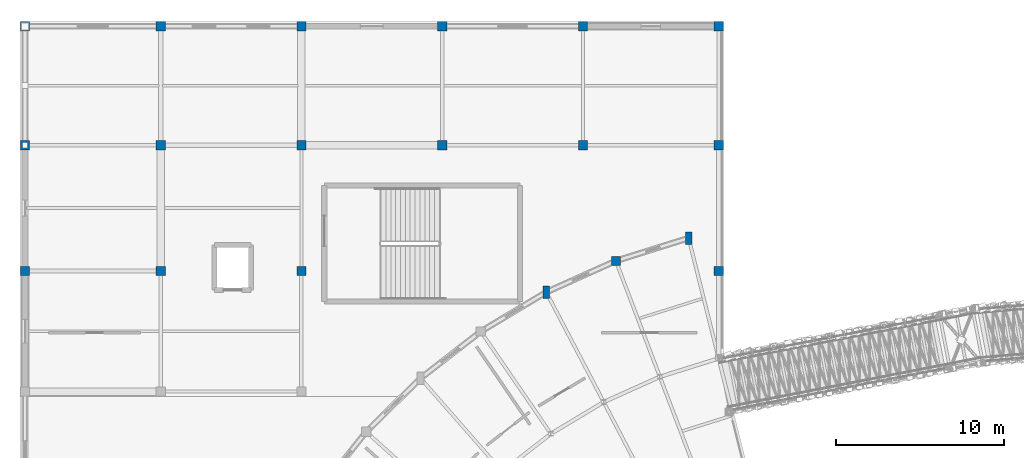
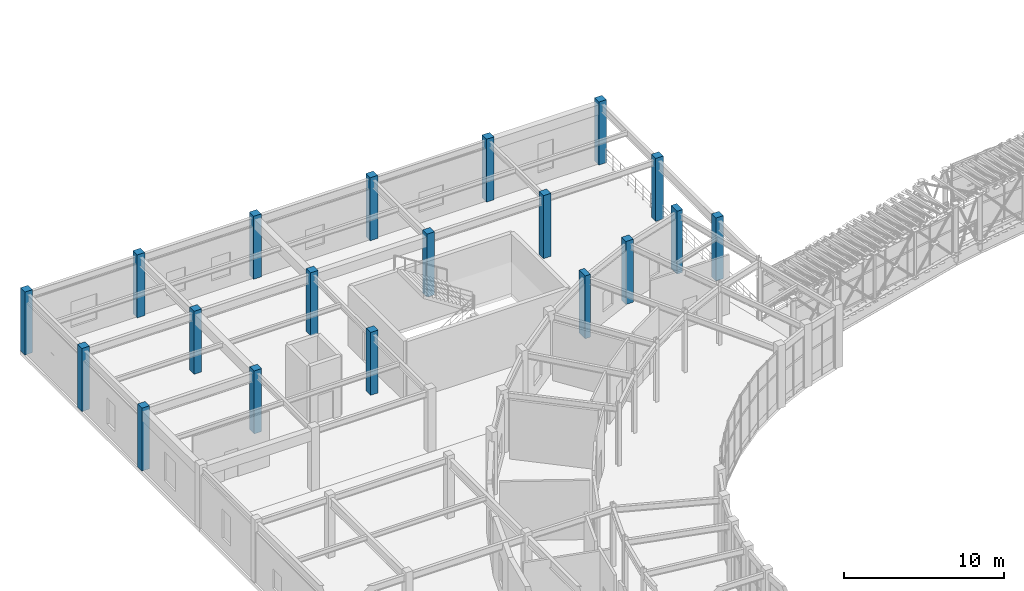
# One storey, part 16 of 144: 19 columns.
"""IFC4 building model written with IfcOpenShell, lengths in metres."""

from ifc_helpers import new_model, si_unit, direction, frame, origin, origin_2d, place, context, subcontext, project, spatial, rectangle, extrude, material, material_profile, profile_set, type_object, element, save


model = new_model("IFC4")

# Units and contexts
model_context = context("Model", 3, precision=1e-05, world=origin(), true_north=direction((0.0, 1.0)))
body_context = subcontext(model_context, "Body", "Model", "MODEL_VIEW")
ifc_project = project(units=[si_unit("LENGTHUNIT", "METRE"), si_unit("AREAUNIT", "SQUARE_METRE"), si_unit("VOLUMEUNIT", "CUBIC_METRE"), si_unit("PLANEANGLEUNIT", "RADIAN"), si_unit("MASSUNIT", "GRAM", prefix="KILO")], contexts=[model_context])

# Site, building, storey
site_placement = place(None, origin())
site = spatial("IfcSite", under=ifc_project, at=site_placement, CompositionType="ELEMENT")
building_placement = place(site_placement, origin())
building = spatial("IfcBuilding", under=site, at=building_placement, Name="Cinderbank Siding Concert Hall", CompositionType="ELEMENT")
storey_placement = place(building_placement, frame((0.0, 0.0, 5.39990234375)))
storey = spatial("IfcBuildingStorey", under=building, at=storey_placement, Name="L02", CompositionType="ELEMENT", Elevation=5.39990234375)

# Columns
ifc_material = material(Name="Reinforced concrete AS 3600 N50 (50 MPa)", Category="concrete")
ifc_material_profile_1 = material_profile(ifc_material, rectangle(XDim=0.550048828125, YDim=0.550048828125, at=origin_2d()), Name="RC-COL-550x550", Category="LoadBearing")
ifc_profile_set_1 = profile_set([ifc_material_profile_1], Name="Reinforced concrete AS 3600 N50 (50 MPa)")
column_type_1 = type_object("IfcColumnType", Name="C-RC550 RC-COL-550x550", PredefinedType="COLUMN", material=ifc_profile_set_1)
for number, where, z_axis, x_axis, name in (
    (1, (42.364013671875, 103.89697265625, 0.0), (0.0, 0.0, 1.0), (1.0, 0.0, 0.0), "L02 Column COL-WOUT-02"),
    (2, (7.10009765625, 103.300048828125, 0.0), (0.0, 0.0, 1.0), (1.0, 0.0, 0.0), "L02 Column COL-NW-1-2"),
    (3, (7.10009765625, 110.800048828125, 0.0), (0.0, 0.0, 1.0), (1.0, 0.0, 0.0), "L02 Column COL-NW-1-3"),
    (4, (7.10009765625, 117.89990234375, 0.0), (0.0, 0.0, 1.0), (1.0, 0.0, 0.0), "L02 Column COL-NW-1-4"),
    (5, (15.199951171875, 103.300048828125, 0.0), (0.0, 0.0, 1.0), (1.0, 0.0, 0.0), "L02 Column COL-NW-2-2"),
    (6, (15.199951171875, 110.800048828125, 0.0), (0.0, 0.0, 1.0), (1.0, 0.0, 0.0), "L02 Column COL-NW-2-3"),
    (7, (15.199951171875, 117.89990234375, 0.0), (0.0, 0.0, 1.0), (1.0, 0.0, 0.0), "L02 Column COL-NW-2-4"),
    (8, (23.60009765625, 103.300048828125, 0.0), (0.0, 0.0, 1.0), (1.0, 0.0, 0.0), "L02 Column COL-NW-3-2"),
    (9, (23.60009765625, 110.800048828125, 0.0), (0.0, 0.0, 1.0), (1.0, 0.0, 0.0), "L02 Column COL-NW-3-3"),
    (10, (23.60009765625, 117.89990234375, 0.0), (0.0, 0.0, 1.0), (1.0, 0.0, 0.0), "L02 Column COL-NW-3-4"),
    (11, (32.0, 110.800048828125, 0.0), (0.0, 0.0, 1.0), (1.0, 0.0, 0.0), "L02 Column COL-NW-4-3"),
    (12, (32.0, 117.89990234375, 0.0), (0.0, 0.0, 1.0), (1.0, 0.0, 0.0), "L02 Column COL-NW-4-4"),
    (13, (40.39990234375, 110.800048828125, 0.0), (0.0, 0.0, 1.0), (1.0, 0.0, 0.0), "L02 Column COL-NW-5-3"),
    (14, (40.39990234375, 117.89990234375, 0.0), (0.0, 0.0, 1.0), (1.0, 0.0, 0.0), "L02 Column COL-NW-5-4"),
    (15, (48.5, 103.300048828125, 0.0), (0.0, 0.0, 1.0), (1.0, 0.0, 0.0), "L02 Column COL-NW-6-2"),
    (16, (48.5, 110.800048828125, 0.0), (0.0, 0.0, 1.0), (1.0, 0.0, 0.0), "L02 Column COL-NW-6-3"),
    (17, (48.5, 117.89990234375, 0.0), (0.0, 0.0, 1.0), (1.0, 0.0, 0.0), "L02 Column COL-NW-6-4"),
):
    element("IfcColumn", number, at=place(storey_placement, frame(where, z_axis=z_axis, x_axis=x_axis)), inside=storey, type_object=column_type_1, Name=name, PredefinedType="COLUMN", context=body_context, shape_type="SweptSolid", body=[
        extrude(rectangle(XDim=0.550048828125, YDim=0.550048828125, at=origin_2d()), origin(), (0.0, 0.0, 1.0), 4.800048828125),
    ])
ifc_material_profile_2 = material_profile(ifc_material, rectangle(XDim=0.39990234375, YDim=0.75, at=origin_2d()), Name="RC-PIER-400x750", Category="LoadBearing")
ifc_profile_set_2 = profile_set([ifc_material_profile_2], Name="Reinforced concrete AS 3600 N50 (50 MPa)")
column_type_2 = type_object("IfcColumnType", Name="PL-RC750 RC-PIER-400x750", PredefinedType="PILASTER", material=ifc_profile_set_2)
for number, where, z_axis, x_axis, name in (
    (18, (46.7099609375, 105.259033203125, 0.0), (0.0, 0.0, 1.0), (1.0, 0.0, 0.0), "L02 Column COL-WOUT-01"),
    (19, (38.208984375, 102.030029296875, 0.0), (0.0, 0.0, 1.0), (1.0, 0.0, 0.0), "L02 Column COL-WOUT-03"),
):
    element("IfcColumn", number, at=place(storey_placement, frame(where, z_axis=z_axis, x_axis=x_axis)), inside=storey, type_object=column_type_2, Name=name, PredefinedType="PILASTER", context=body_context, shape_type="SweptSolid", body=[
        extrude(rectangle(XDim=0.39990234375, YDim=0.75, at=origin_2d()), origin(), (0.0, 0.0, 1.0), 4.800048828125),
    ])

save(model, "model.ifc")
